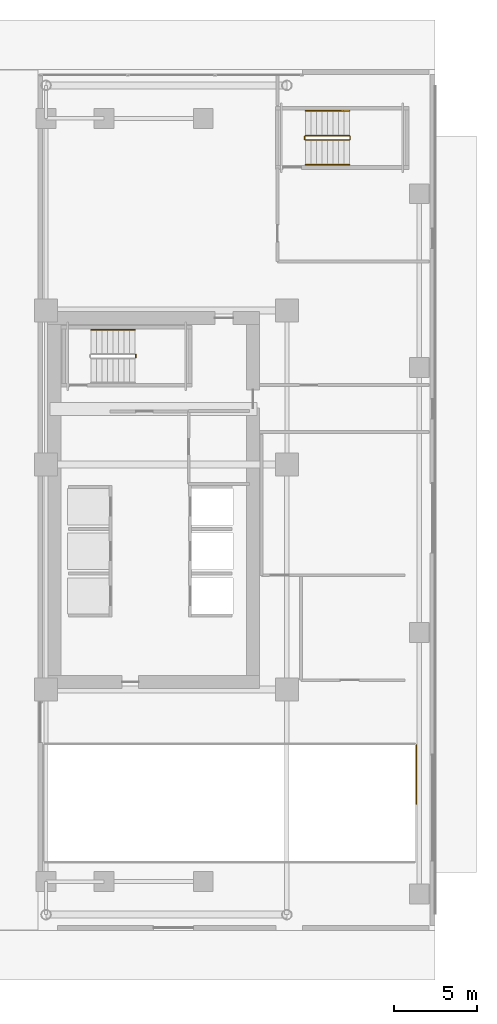
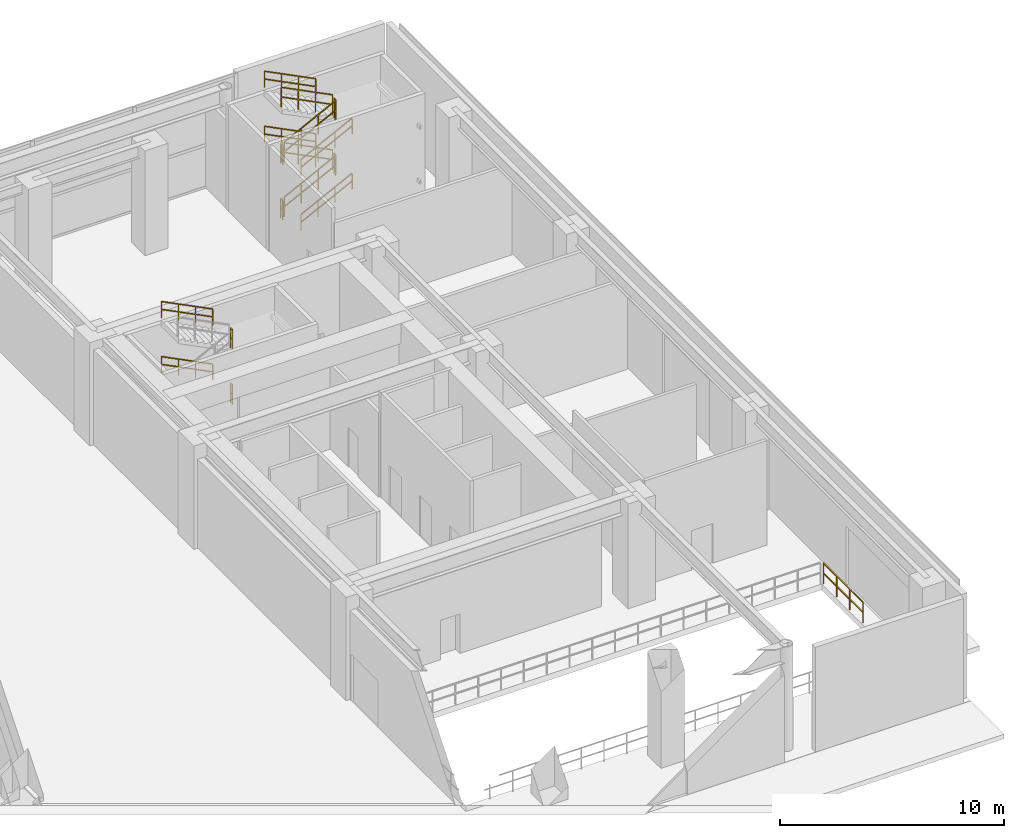
# One storey, part 15 of 17: 17 railings.
"""IFC4 building model written with IfcOpenShell, lengths in metres."""

from ifc_helpers import new_model, si_unit, direction, frame, origin, origin_2d, place, context, subcontext, project, spatial, rectangle, extrude, material, type_object, element, save


model = new_model("IFC4")

# Units and contexts
model_context = context("Model", 3, precision=1e-05, world=origin(), true_north=direction((0.0, 1.0)))
body_context = subcontext(model_context, "Body", "Model", "MODEL_VIEW")
ifc_project = project(units=[si_unit("LENGTHUNIT", "METRE"), si_unit("AREAUNIT", "SQUARE_METRE"), si_unit("VOLUMEUNIT", "CUBIC_METRE"), si_unit("PLANEANGLEUNIT", "RADIAN"), si_unit("MASSUNIT", "GRAM", prefix="KILO")], contexts=[model_context])

# Site, building, storey
site_placement = place(None, origin())
site = spatial("IfcSite", under=ifc_project, at=site_placement, CompositionType="ELEMENT")
building_placement = place(site_placement, origin())
building = spatial("IfcBuilding", under=site, at=building_placement, Name="Ocotamira Hotel", CompositionType="ELEMENT")
storey_placement = place(building_placement, origin())
storey = spatial("IfcBuildingStorey", under=building, at=storey_placement, Name="L01", CompositionType="ELEMENT", Elevation=0.0)

# Railings
ifc_material_1 = material(Name="Painted steel stair guardrail", Category="steel")
railing_type_1 = type_object("IfcRailingType", Name="RL-EDGE-1150", PredefinedType="GUARDRAIL", material=ifc_material_1)
railing_1_placement = place(storey_placement, frame((62.8798828125, 7.64990234375, 0.0)))
element("IfcRailing", 1, at=railing_1_placement, inside=storey, type_object=railing_type_1, Name="L01 Vehicle Ramp Well Guardrail E1", PredefinedType="GUARDRAIL", context=body_context, shape_type="SweptSolid", body=[
    extrude(rectangle(XDim=0.048095703125, YDim=0.048095703125, at=origin_2d()), frame((0.0, 0.0, 1.1259765625), z_axis=(0.0, 1.0, 0.0), x_axis=(-1.0, 0.0, 0.0)), (0.0, 0.0, 1.0), 3.530029296875),
    extrude(rectangle(XDim=0.048095703125, YDim=0.048095703125, at=origin_2d()), frame((0.0, 0.0, 0.574951171875), z_axis=(0.0, 1.0, 0.0), x_axis=(-1.0, 0.0, 0.0)), (0.0, 0.0, 1.0), 3.530029296875),
    extrude(rectangle(XDim=0.0419921875, YDim=0.0419921875, at=origin_2d()), origin(), (0.0, 0.0, 1.0), 1.101806640625),
    extrude(rectangle(XDim=0.0419921875, YDim=0.0419921875, at=origin_2d()), frame((0.0, 1.1767578125, 0.0)), (0.0, 0.0, 1.0), 1.101806640625),
    extrude(rectangle(XDim=0.0419921875, YDim=0.0419921875, at=origin_2d()), frame((0.0, 2.353271484375, 0.0)), (0.0, 0.0, 1.0), 1.101806640625),
    extrude(rectangle(XDim=0.0419921875, YDim=0.0419921875, at=origin_2d()), frame((0.0, 3.530029296875, 0.0)), (0.0, 0.0, 1.0), 1.101806640625),
])
ifc_material_2 = material(Name="Brushed stainless steel handrail", Category="steel")
railing_type_2 = type_object("IfcRailingType", Name="RL-HAND-900", PredefinedType="HANDRAIL", material=ifc_material_2)
for number, where, name in (
    (2, (45.8701171875, 36.280029296875, 1.833251953125), "L01 ST-4 stair handrail 2"),
    (3, (45.8701171875, 36.280029296875, 4.833251953125), "L01 ST-4 stair handrail 4"),
):
    element("IfcRailing", number, at=place(storey_placement, frame(where)), inside=storey, type_object=railing_type_2, Name=name, PredefinedType="HANDRAIL", context=body_context, shape_type="SweptSolid", body=[
        extrude(rectangle(XDim=0.048095703125, YDim=0.048095703125, at=origin_2d()), frame((0.0, 0.0, 0.8759765625), z_axis=(-0.892603904193, 0.0, 0.450841735223), x_axis=(0.0, -1.0, 0.0)), (0.0, 0.0, 1.0), 2.957763671875),
        extrude(rectangle(XDim=0.048095703125, YDim=0.048095703125, at=origin_2d()), frame((0.0, 0.0, 0.449951171875), z_axis=(-0.892603904193, 0.0, 0.450841735223), x_axis=(0.0, -1.0, 0.0)), (0.0, 0.0, 1.0), 2.957763671875),
        extrude(rectangle(XDim=0.0419921875, YDim=0.0419921875, at=origin_2d()), origin(), (0.0, 0.0, 1.0), 0.851806640625),
        extrude(rectangle(XDim=0.0419921875, YDim=0.0419921875, at=origin_2d()), frame((-0.880126953125, 0.0, 0.444580078125)), (0.0, 0.0, 1.0), 0.851806640625),
        extrude(rectangle(XDim=0.0419921875, YDim=0.0419921875, at=origin_2d()), frame((-1.760009765625, 0.0, 0.888916015625)), (0.0, 0.0, 1.0), 0.851806640625),
        extrude(rectangle(XDim=0.0419921875, YDim=0.0419921875, at=origin_2d()), frame((-2.64013671875, 0.0, 1.33349609375)), (0.0, 0.0, 1.0), 0.851806640625),
    ])
railing_2_placement = place(storey_placement, frame((56.179931640625, 46.25, 0.333251953125)))
element("IfcRailing", 4, at=railing_2_placement, inside=storey, type_object=railing_type_2, Name="L01 ST-6 stair handrail 1", PredefinedType="HANDRAIL", context=body_context, shape_type="SweptSolid", body=[
    extrude(rectangle(XDim=0.048095703125, YDim=0.048095703125, at=origin_2d()), frame((0.0, 0.0, 0.8759765625), z_axis=(0.892603904193, 0.0, 0.450841735223), x_axis=(0.0, 1.0, 0.0)), (0.0, 0.0, 1.0), 2.957763671875),
    extrude(rectangle(XDim=0.048095703125, YDim=0.048095703125, at=origin_2d()), frame((0.0, 0.0, 0.449951171875), z_axis=(0.892603904193, 0.0, 0.450841735223), x_axis=(0.0, 1.0, 0.0)), (0.0, 0.0, 1.0), 2.957763671875),
    extrude(rectangle(XDim=0.0419921875, YDim=0.0419921875, at=origin_2d()), origin(), (0.0, 0.0, 1.0), 0.851806640625),
    extrude(rectangle(XDim=0.0419921875, YDim=0.0419921875, at=origin_2d()), frame((0.880126953125, 0.0, 0.444580078125)), (0.0, 0.0, 1.0), 0.851806640625),
    extrude(rectangle(XDim=0.0419921875, YDim=0.0419921875, at=origin_2d()), frame((1.760009765625, 0.0, 0.888916015625)), (0.0, 0.0, 1.0), 0.851806640625),
    extrude(rectangle(XDim=0.0419921875, YDim=0.0419921875, at=origin_2d()), frame((2.64013671875, 0.0, 1.33349609375)), (0.0, 0.0, 1.0), 0.851806640625),
])
railing_3_placement = place(storey_placement, frame((58.820068359375, 49.510009765625, 1.833251953125)))
element("IfcRailing", 5, at=railing_3_placement, inside=storey, type_object=railing_type_2, Name="L01 ST-6 stair handrail 2", PredefinedType="HANDRAIL", context=body_context, shape_type="SweptSolid", body=[
    extrude(rectangle(XDim=0.048095703125, YDim=0.048095703125, at=origin_2d()), frame((0.0, 0.0, 0.8759765625), z_axis=(-0.892603904193, 0.0, 0.450841735223), x_axis=(0.0, -1.0, 0.0)), (0.0, 0.0, 1.0), 2.957763671875),
    extrude(rectangle(XDim=0.048095703125, YDim=0.048095703125, at=origin_2d()), frame((0.0, 0.0, 0.449951171875), z_axis=(-0.892603904193, 0.0, 0.450841735223), x_axis=(0.0, -1.0, 0.0)), (0.0, 0.0, 1.0), 2.957763671875),
    extrude(rectangle(XDim=0.0419921875, YDim=0.0419921875, at=origin_2d()), origin(), (0.0, 0.0, 1.0), 0.851806640625),
    extrude(rectangle(XDim=0.0419921875, YDim=0.0419921875, at=origin_2d()), frame((-0.880126953125, 0.0, 0.444580078125)), (0.0, 0.0, 1.0), 0.851806640625),
    extrude(rectangle(XDim=0.0419921875, YDim=0.0419921875, at=origin_2d()), frame((-1.760009765625, 0.0, 0.888916015625)), (0.0, 0.0, 1.0), 0.851806640625),
    extrude(rectangle(XDim=0.0419921875, YDim=0.0419921875, at=origin_2d()), frame((-2.64013671875, 0.0, 1.33349609375)), (0.0, 0.0, 1.0), 0.851806640625),
])
railing_4_placement = place(storey_placement, frame((56.179931640625, 46.25, 3.333251953125)))
element("IfcRailing", 6, at=railing_4_placement, inside=storey, type_object=railing_type_2, Name="L01 ST-6 stair handrail 3", PredefinedType="HANDRAIL", context=body_context, shape_type="SweptSolid", body=[
    extrude(rectangle(XDim=0.048095703125, YDim=0.048095703125, at=origin_2d()), frame((0.0, 0.0, 0.8759765625), z_axis=(0.892603904193, 0.0, 0.450841735223), x_axis=(0.0, 1.0, 0.0)), (0.0, 0.0, 1.0), 2.957763671875),
    extrude(rectangle(XDim=0.048095703125, YDim=0.048095703125, at=origin_2d()), frame((0.0, 0.0, 0.449951171875), z_axis=(0.892603904193, 0.0, 0.450841735223), x_axis=(0.0, 1.0, 0.0)), (0.0, 0.0, 1.0), 2.957763671875),
    extrude(rectangle(XDim=0.0419921875, YDim=0.0419921875, at=origin_2d()), origin(), (0.0, 0.0, 1.0), 0.851806640625),
    extrude(rectangle(XDim=0.0419921875, YDim=0.0419921875, at=origin_2d()), frame((0.880126953125, 0.0, 0.444580078125)), (0.0, 0.0, 1.0), 0.851806640625),
    extrude(rectangle(XDim=0.0419921875, YDim=0.0419921875, at=origin_2d()), frame((1.760009765625, 0.0, 0.888916015625)), (0.0, 0.0, 1.0), 0.851806640625),
    extrude(rectangle(XDim=0.0419921875, YDim=0.0419921875, at=origin_2d()), frame((2.64013671875, 0.0, 1.33349609375)), (0.0, 0.0, 1.0), 0.851806640625),
])
railing_5_placement = place(storey_placement, frame((58.820068359375, 49.510009765625, 4.833251953125)))
element("IfcRailing", 7, at=railing_5_placement, inside=storey, type_object=railing_type_2, Name="L01 ST-6 stair handrail 4", PredefinedType="HANDRAIL", context=body_context, shape_type="SweptSolid", body=[
    extrude(rectangle(XDim=0.048095703125, YDim=0.048095703125, at=origin_2d()), frame((0.0, 0.0, 0.8759765625), z_axis=(-0.892603904193, 0.0, 0.450841735223), x_axis=(0.0, -1.0, 0.0)), (0.0, 0.0, 1.0), 2.957763671875),
    extrude(rectangle(XDim=0.048095703125, YDim=0.048095703125, at=origin_2d()), frame((0.0, 0.0, 0.449951171875), z_axis=(-0.892603904193, 0.0, 0.450841735223), x_axis=(0.0, -1.0, 0.0)), (0.0, 0.0, 1.0), 2.957763671875),
    extrude(rectangle(XDim=0.0419921875, YDim=0.0419921875, at=origin_2d()), origin(), (0.0, 0.0, 1.0), 0.851806640625),
    extrude(rectangle(XDim=0.0419921875, YDim=0.0419921875, at=origin_2d()), frame((-0.880126953125, 0.0, 0.444580078125)), (0.0, 0.0, 1.0), 0.851806640625),
    extrude(rectangle(XDim=0.0419921875, YDim=0.0419921875, at=origin_2d()), frame((-1.760009765625, 0.0, 0.888916015625)), (0.0, 0.0, 1.0), 0.851806640625),
    extrude(rectangle(XDim=0.0419921875, YDim=0.0419921875, at=origin_2d()), frame((-2.64013671875, 0.0, 1.33349609375)), (0.0, 0.0, 1.0), 0.851806640625),
])
railing_type_3 = type_object("IfcRailingType", Name="RL-STAIR-1100", PredefinedType="GUARDRAIL", material=ifc_material_1)
for number, where, name in (
    (8, (45.919921875, 34.610107421875, 1.5), "L01 ST-4 stair guard 2"),
    (9, (45.919921875, 34.610107421875, 4.5), "L01 ST-4 stair guard 6"),
):
    element("IfcRailing", number, at=place(storey_placement, frame(where)), inside=storey, type_object=railing_type_3, Name=name, PredefinedType="GUARDRAIL", context=body_context, shape_type="SweptSolid", body=[
        extrude(rectangle(XDim=0.048095703125, YDim=0.048095703125, at=origin_2d()), frame((0.0, 0.0, 1.076171875), z_axis=(0.0, 1.0, 0.0), x_axis=(-1.0, 0.0, 0.0)), (0.0, 0.0, 1.0), 0.159912109375),
        extrude(rectangle(XDim=0.048095703125, YDim=0.048095703125, at=origin_2d()), frame((0.0, 0.0, 0.550048828125), z_axis=(0.0, 1.0, 0.0), x_axis=(-1.0, 0.0, 0.0)), (0.0, 0.0, 1.0), 0.159912109375),
        extrude(rectangle(XDim=0.0419921875, YDim=0.0419921875, at=origin_2d()), origin(), (0.0, 0.0, 1.0), 1.052001953125),
        extrude(rectangle(XDim=0.0419921875, YDim=0.0419921875, at=origin_2d()), frame((0.0, 0.159912109375, 0.0)), (0.0, 0.0, 1.0), 1.052001953125),
    ])
railing_6_placement = place(storey_placement, frame((56.179931640625, 47.75, 0.166748046875)))
element("IfcRailing", 10, at=railing_6_placement, inside=storey, type_object=railing_type_3, Name="L01 ST-6 stair guard 1", PredefinedType="GUARDRAIL", context=body_context, shape_type="SweptSolid", body=[
    extrude(rectangle(XDim=0.048095703125, YDim=0.048095703125, at=origin_2d()), frame((0.0, 0.0, 1.076171875), z_axis=(0.892637119617, 0.0, 0.450775967286), x_axis=(0.0, 1.0, 0.0)), (0.0, 0.0, 1.0), 2.957763671875),
    extrude(rectangle(XDim=0.048095703125, YDim=0.048095703125, at=origin_2d()), frame((0.0, 0.0, 0.550048828125), z_axis=(0.892637119617, 0.0, 0.450775967286), x_axis=(0.0, 1.0, 0.0)), (0.0, 0.0, 1.0), 2.957763671875),
    extrude(rectangle(XDim=0.0419921875, YDim=0.0419921875, at=origin_2d()), origin(), (0.0, 0.0, 1.0), 1.052001953125),
    extrude(rectangle(XDim=0.0419921875, YDim=0.0419921875, at=origin_2d()), frame((0.880126953125, 0.0, 0.4443359375)), (0.0, 0.0, 1.0), 1.052001953125),
    extrude(rectangle(XDim=0.0419921875, YDim=0.0419921875, at=origin_2d()), frame((1.760009765625, 0.0, 0.888916015625)), (0.0, 0.0, 1.0), 1.052001953125),
    extrude(rectangle(XDim=0.0419921875, YDim=0.0419921875, at=origin_2d()), frame((2.64013671875, 0.0, 1.333251953125)), (0.0, 0.0, 1.0), 1.052001953125),
])
railing_7_placement = place(storey_placement, frame((58.8701171875, 47.800048828125, 1.5)))
element("IfcRailing", 11, at=railing_7_placement, inside=storey, type_object=railing_type_3, Name="L01 ST-6 stair guard 2", PredefinedType="GUARDRAIL", context=body_context, shape_type="SweptSolid", body=[
    extrude(rectangle(XDim=0.048095703125, YDim=0.048095703125, at=origin_2d()), frame((0.0, 0.0, 1.076171875), z_axis=(0.0, 1.0, 0.0), x_axis=(-1.0, 0.0, 0.0)), (0.0, 0.0, 1.0), 0.159912109375),
    extrude(rectangle(XDim=0.048095703125, YDim=0.048095703125, at=origin_2d()), frame((0.0, 0.0, 0.550048828125), z_axis=(0.0, 1.0, 0.0), x_axis=(-1.0, 0.0, 0.0)), (0.0, 0.0, 1.0), 0.159912109375),
    extrude(rectangle(XDim=0.0419921875, YDim=0.0419921875, at=origin_2d()), origin(), (0.0, 0.0, 1.0), 1.052001953125),
    extrude(rectangle(XDim=0.0419921875, YDim=0.0419921875, at=origin_2d()), frame((0.0, 0.159912109375, 0.0)), (0.0, 0.0, 1.0), 1.052001953125),
])
railing_8_placement = place(storey_placement, frame((58.820068359375, 48.010009765625, 1.666748046875)))
element("IfcRailing", 12, at=railing_8_placement, inside=storey, type_object=railing_type_3, Name="L01 ST-6 stair guard 3", PredefinedType="GUARDRAIL", context=body_context, shape_type="SweptSolid", body=[
    extrude(rectangle(XDim=0.048095703125, YDim=0.048095703125, at=origin_2d()), frame((0.0, 0.0, 1.076171875), z_axis=(-0.892637119617, 0.0, 0.450775967286), x_axis=(0.0, -1.0, 0.0)), (0.0, 0.0, 1.0), 2.957763671875),
    extrude(rectangle(XDim=0.048095703125, YDim=0.048095703125, at=origin_2d()), frame((0.0, 0.0, 0.550048828125), z_axis=(-0.892637119617, 0.0, 0.450775967286), x_axis=(0.0, -1.0, 0.0)), (0.0, 0.0, 1.0), 2.957763671875),
    extrude(rectangle(XDim=0.0419921875, YDim=0.0419921875, at=origin_2d()), origin(), (0.0, 0.0, 1.0), 1.052001953125),
    extrude(rectangle(XDim=0.0419921875, YDim=0.0419921875, at=origin_2d()), frame((-0.880126953125, 0.0, 0.4443359375)), (0.0, 0.0, 1.0), 1.052001953125),
    extrude(rectangle(XDim=0.0419921875, YDim=0.0419921875, at=origin_2d()), frame((-1.760009765625, 0.0, 0.888916015625)), (0.0, 0.0, 1.0), 1.052001953125),
    extrude(rectangle(XDim=0.0419921875, YDim=0.0419921875, at=origin_2d()), frame((-2.64013671875, 0.0, 1.333251953125)), (0.0, 0.0, 1.0), 1.052001953125),
])
railing_9_placement = place(storey_placement, frame((56.1298828125, 47.800048828125, 3.0)))
element("IfcRailing", 13, at=railing_9_placement, inside=storey, type_object=railing_type_3, Name="L01 ST-6 stair guard 4", PredefinedType="GUARDRAIL", context=body_context, shape_type="SweptSolid", body=[
    extrude(rectangle(XDim=0.048095703125, YDim=0.048095703125, at=origin_2d()), frame((0.0, 0.0, 1.076171875), z_axis=(0.0, 1.0, 0.0), x_axis=(-1.0, 0.0, 0.0)), (0.0, 0.0, 1.0), 0.159912109375),
    extrude(rectangle(XDim=0.048095703125, YDim=0.048095703125, at=origin_2d()), frame((0.0, 0.0, 0.550048828125), z_axis=(0.0, 1.0, 0.0), x_axis=(-1.0, 0.0, 0.0)), (0.0, 0.0, 1.0), 0.159912109375),
    extrude(rectangle(XDim=0.0419921875, YDim=0.0419921875, at=origin_2d()), origin(), (0.0, 0.0, 1.0), 1.052001953125),
    extrude(rectangle(XDim=0.0419921875, YDim=0.0419921875, at=origin_2d()), frame((0.0, 0.159912109375, 0.0)), (0.0, 0.0, 1.0), 1.052001953125),
])
railing_10_placement = place(storey_placement, frame((56.179931640625, 47.75, 3.166748046875)))
element("IfcRailing", 14, at=railing_10_placement, inside=storey, type_object=railing_type_3, Name="L01 ST-6 stair guard 5", PredefinedType="GUARDRAIL", context=body_context, shape_type="SweptSolid", body=[
    extrude(rectangle(XDim=0.048095703125, YDim=0.048095703125, at=origin_2d()), frame((0.0, 0.0, 1.076171875), z_axis=(0.892637119617, 0.0, 0.450775967286), x_axis=(0.0, 1.0, 0.0)), (0.0, 0.0, 1.0), 2.957763671875),
    extrude(rectangle(XDim=0.048095703125, YDim=0.048095703125, at=origin_2d()), frame((0.0, 0.0, 0.550048828125), z_axis=(0.892637119617, 0.0, 0.450775967286), x_axis=(0.0, 1.0, 0.0)), (0.0, 0.0, 1.0), 2.957763671875),
    extrude(rectangle(XDim=0.0419921875, YDim=0.0419921875, at=origin_2d()), origin(), (0.0, 0.0, 1.0), 1.052001953125),
    extrude(rectangle(XDim=0.0419921875, YDim=0.0419921875, at=origin_2d()), frame((0.880126953125, 0.0, 0.4443359375)), (0.0, 0.0, 1.0), 1.052001953125),
    extrude(rectangle(XDim=0.0419921875, YDim=0.0419921875, at=origin_2d()), frame((1.760009765625, 0.0, 0.888916015625)), (0.0, 0.0, 1.0), 1.052001953125),
    extrude(rectangle(XDim=0.0419921875, YDim=0.0419921875, at=origin_2d()), frame((2.64013671875, 0.0, 1.333251953125)), (0.0, 0.0, 1.0), 1.052001953125),
])
railing_11_placement = place(storey_placement, frame((58.8701171875, 47.800048828125, 4.5)))
element("IfcRailing", 15, at=railing_11_placement, inside=storey, type_object=railing_type_3, Name="L01 ST-6 stair guard 6", PredefinedType="GUARDRAIL", context=body_context, shape_type="SweptSolid", body=[
    extrude(rectangle(XDim=0.048095703125, YDim=0.048095703125, at=origin_2d()), frame((0.0, 0.0, 1.076171875), z_axis=(0.0, 1.0, 0.0), x_axis=(-1.0, 0.0, 0.0)), (0.0, 0.0, 1.0), 0.159912109375),
    extrude(rectangle(XDim=0.048095703125, YDim=0.048095703125, at=origin_2d()), frame((0.0, 0.0, 0.550048828125), z_axis=(0.0, 1.0, 0.0), x_axis=(-1.0, 0.0, 0.0)), (0.0, 0.0, 1.0), 0.159912109375),
    extrude(rectangle(XDim=0.0419921875, YDim=0.0419921875, at=origin_2d()), origin(), (0.0, 0.0, 1.0), 1.052001953125),
    extrude(rectangle(XDim=0.0419921875, YDim=0.0419921875, at=origin_2d()), frame((0.0, 0.159912109375, 0.0)), (0.0, 0.0, 1.0), 1.052001953125),
])
railing_12_placement = place(storey_placement, frame((58.820068359375, 48.010009765625, 4.666748046875)))
element("IfcRailing", 16, at=railing_12_placement, inside=storey, type_object=railing_type_3, Name="L01 ST-6 stair guard 7", PredefinedType="GUARDRAIL", context=body_context, shape_type="SweptSolid", body=[
    extrude(rectangle(XDim=0.048095703125, YDim=0.048095703125, at=origin_2d()), frame((0.0, 0.0, 1.076171875), z_axis=(-0.892637119617, 0.0, 0.450775967286), x_axis=(0.0, -1.0, 0.0)), (0.0, 0.0, 1.0), 2.957763671875),
    extrude(rectangle(XDim=0.048095703125, YDim=0.048095703125, at=origin_2d()), frame((0.0, 0.0, 0.550048828125), z_axis=(-0.892637119617, 0.0, 0.450775967286), x_axis=(0.0, -1.0, 0.0)), (0.0, 0.0, 1.0), 2.957763671875),
    extrude(rectangle(XDim=0.0419921875, YDim=0.0419921875, at=origin_2d()), origin(), (0.0, 0.0, 1.0), 1.052001953125),
    extrude(rectangle(XDim=0.0419921875, YDim=0.0419921875, at=origin_2d()), frame((-0.880126953125, 0.0, 0.4443359375)), (0.0, 0.0, 1.0), 1.052001953125),
    extrude(rectangle(XDim=0.0419921875, YDim=0.0419921875, at=origin_2d()), frame((-1.760009765625, 0.0, 0.888916015625)), (0.0, 0.0, 1.0), 1.052001953125),
    extrude(rectangle(XDim=0.0419921875, YDim=0.0419921875, at=origin_2d()), frame((-2.64013671875, 0.0, 1.333251953125)), (0.0, 0.0, 1.0), 1.052001953125),
])
railing_13_placement = place(storey_placement, frame((56.1298828125, 47.800048828125, 0.0)))
element("IfcRailing", 17, at=railing_13_placement, inside=storey, type_object=railing_type_3, Name="L01 ST-6 stair guard 8", PredefinedType="GUARDRAIL", context=body_context, shape_type="SweptSolid", body=[
    extrude(rectangle(XDim=0.048095703125, YDim=0.048095703125, at=origin_2d()), frame((0.0, 0.0, 1.076171875), z_axis=(0.0, 1.0, 0.0), x_axis=(-1.0, 0.0, 0.0)), (0.0, 0.0, 1.0), 0.159912109375),
    extrude(rectangle(XDim=0.048095703125, YDim=0.048095703125, at=origin_2d()), frame((0.0, 0.0, 0.550048828125), z_axis=(0.0, 1.0, 0.0), x_axis=(-1.0, 0.0, 0.0)), (0.0, 0.0, 1.0), 0.159912109375),
    extrude(rectangle(XDim=0.0419921875, YDim=0.0419921875, at=origin_2d()), origin(), (0.0, 0.0, 1.0), 1.052001953125),
    extrude(rectangle(XDim=0.0419921875, YDim=0.0419921875, at=origin_2d()), frame((0.0, 0.159912109375, 0.0)), (0.0, 0.0, 1.0), 1.052001953125),
])

save(model, "model.ifc")
